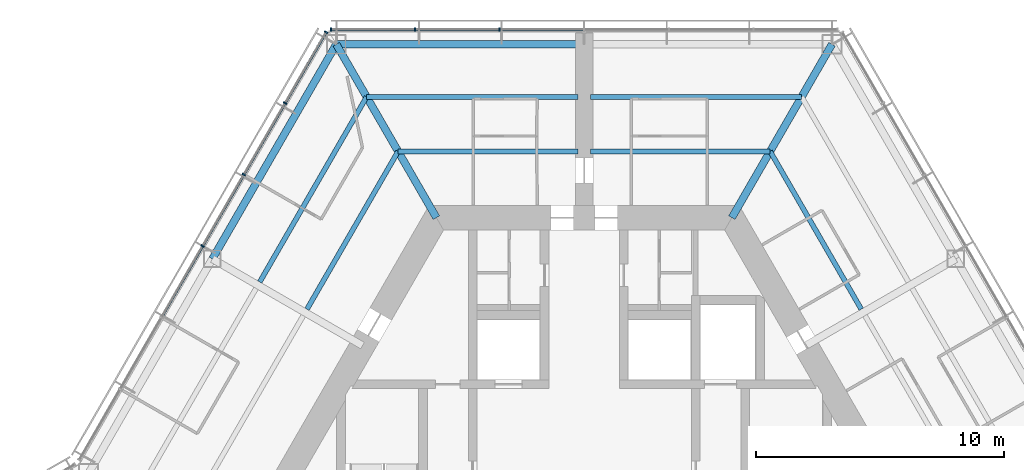
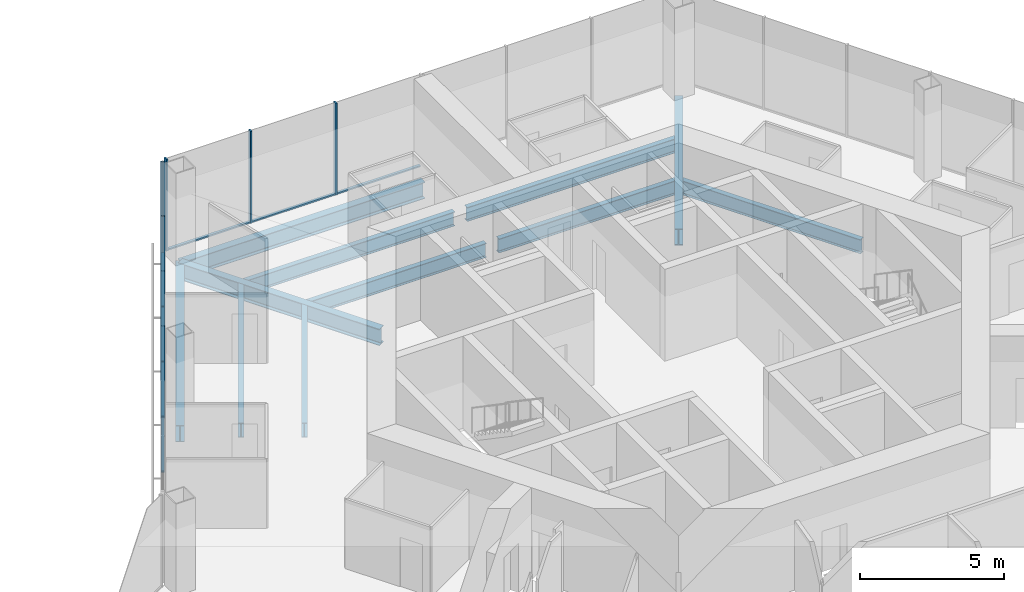
# One storey, part 7 of 18: 14 members, 11 beams, 2 elements without a shape of their own.
"""IFC4 building model written with IfcOpenShell, lengths in metres."""

from ifc_helpers import new_model, si_unit, direction, frame, origin, origin_2d, place, context, subcontext, project, spatial, rectangle, i_section, extrude, material, material_profile, profile_set, type_object, element, aggregate, save


model = new_model("IFC4")

# Units and contexts
model_context = context("Model", 3, precision=1e-05, world=origin(), true_north=direction((0.0, 1.0)))
body_context = subcontext(model_context, "Body", "Model", "MODEL_VIEW")
ifc_project = project(units=[si_unit("LENGTHUNIT", "METRE"), si_unit("AREAUNIT", "SQUARE_METRE"), si_unit("VOLUMEUNIT", "CUBIC_METRE"), si_unit("PLANEANGLEUNIT", "RADIAN"), si_unit("MASSUNIT", "GRAM", prefix="KILO")], contexts=[model_context])

# Site, building, storey
site_placement = place(None, origin())
site = spatial("IfcSite", under=ifc_project, at=site_placement, CompositionType="ELEMENT")
building_placement = place(site_placement, origin())
building = spatial("IfcBuilding", under=site, at=building_placement, Name="Kasaneha Research Tower", CompositionType="ELEMENT")
storey_placement = place(building_placement, frame((0.0, 0.0, 172.10009765625)))
storey = spatial("IfcBuildingStorey", under=building, at=storey_placement, Name="L43", CompositionType="ELEMENT", Elevation=172.10009765625)

# Beams
ifc_material_1 = material(Name="Steel SN490B", Category="steel")
ifc_material_profile_1 = material_profile(ifc_material_1, i_section(OverallWidth=0.199951171875, OverallDepth=0.60009765625, WebThickness=0.010986328125, FlangeThickness=0.01708984375, FilletRadius=0.012939453125, at=origin_2d()), Name="H-600x200x11x17")
ifc_profile_set_1 = profile_set([ifc_material_profile_1], Name="Steel SN490B")
beam_type_1 = type_object("IfcBeamType", Name="B1-3 secondary beam H-600x200x11x17", PredefinedType="JOIST", material=ifc_profile_set_1)
beam_1_placement = place(storey_placement, frame((7.505615234375, 13.0, -0.4501953125), z_axis=(0.499994443168, -0.866028611999, 0.0), x_axis=(0.866028611999, 0.499994443168, 0.0)))
element("IfcBeam", 1, at=beam_1_placement, inside=storey, type_object=beam_type_1, Name="Secondary beam RS030R1 L43", PredefinedType="JOIST", context=body_context, shape_type="SweptSolid", body=[
    extrude(i_section(OverallWidth=0.199951171875, OverallDepth=0.60009765625, WebThickness=0.010986328125, FlangeThickness=0.01708984375, FilletRadius=0.012939453125, at=origin_2d()), origin(), (0.0, 0.0, 1.0), 7.35546875),
])
beam_2_placement = place(storey_placement, frame((7.505615234375, 13.0, -0.4501953125), z_axis=(-1.0, 0.0, 0.0), x_axis=(0.0, -1.0, 0.0)))
element("IfcBeam", 2, at=beam_2_placement, inside=storey, type_object=beam_type_1, Name="Secondary beam RS090L1 L43", PredefinedType="JOIST", context=body_context, shape_type="SweptSolid", body=[
    extrude(i_section(OverallWidth=0.199951171875, OverallDepth=0.60009765625, WebThickness=0.010986328125, FlangeThickness=0.01708984375, FilletRadius=0.012939453125, at=origin_2d()), origin(), (0.0, 0.0, 1.0), 7.255615234375),
])
beam_3_placement = place(storey_placement, frame((8.775634765625, 15.199951171875, -0.4501953125), z_axis=(-1.0, 0.0, 0.0), x_axis=(0.0, -1.0, 0.0)))
element("IfcBeam", 3, at=beam_3_placement, inside=storey, type_object=beam_type_1, Name="Secondary beam RS090L2 L43", PredefinedType="JOIST", context=body_context, shape_type="SweptSolid", body=[
    extrude(i_section(OverallWidth=0.199951171875, OverallDepth=0.60009765625, WebThickness=0.010986328125, FlangeThickness=0.01708984375, FilletRadius=0.012939453125, at=origin_2d()), origin(), (0.0, 0.0, 1.0), 8.525634765625),
])
beam_4_placement = place(storey_placement, frame((-7.505615234375, 13.0, -0.4501953125), z_axis=(1.0, 0.0, 0.0), x_axis=(0.0, 1.0, 0.0)))
element("IfcBeam", 4, at=beam_4_placement, inside=storey, type_object=beam_type_1, Name="Secondary beam RS090R1 L43", PredefinedType="JOIST", context=body_context, shape_type="SweptSolid", body=[
    extrude(i_section(OverallWidth=0.199951171875, OverallDepth=0.60009765625, WebThickness=0.010986328125, FlangeThickness=0.01708984375, FilletRadius=0.012939453125, at=origin_2d()), origin(), (0.0, 0.0, 1.0), 7.255615234375),
])
beam_5_placement = place(storey_placement, frame((-8.775634765625, 15.199951171875, -0.4501953125), z_axis=(1.0, 0.0, 0.0), x_axis=(0.0, 1.0, 0.0)))
element("IfcBeam", 5, at=beam_5_placement, inside=storey, type_object=beam_type_1, Name="Secondary beam RS090R2 L43", PredefinedType="JOIST", context=body_context, shape_type="SweptSolid", body=[
    extrude(i_section(OverallWidth=0.199951171875, OverallDepth=0.60009765625, WebThickness=0.010986328125, FlangeThickness=0.01708984375, FilletRadius=0.012939453125, at=origin_2d()), origin(), (0.0, 0.0, 1.0), 8.525634765625),
])
beam_6_placement = place(storey_placement, frame((-7.505615234375, 13.0, -0.4501953125), z_axis=(-0.499994443168, -0.866028611999, 0.0), x_axis=(0.866028611999, -0.499994443168, 0.0)))
element("IfcBeam", 6, at=beam_6_placement, inside=storey, type_object=beam_type_1, Name="Secondary beam RS150L1 L43", PredefinedType="JOIST", context=body_context, shape_type="SweptSolid", body=[
    extrude(i_section(OverallWidth=0.199951171875, OverallDepth=0.60009765625, WebThickness=0.010986328125, FlangeThickness=0.01708984375, FilletRadius=0.012939453125, at=origin_2d()), origin(), (0.0, 0.0, 1.0), 7.35546875),
])
beam_7_placement = place(storey_placement, frame((-8.775634765625, 15.199951171875, -0.4501953125), z_axis=(-0.500017275495, -0.866015429543, 0.0), x_axis=(0.866015429543, -0.500017275495, 0.0)))
element("IfcBeam", 7, at=beam_7_placement, inside=storey, type_object=beam_type_1, Name="Secondary beam RS150L2 L43", PredefinedType="JOIST", context=body_context, shape_type="SweptSolid", body=[
    extrude(i_section(OverallWidth=0.199951171875, OverallDepth=0.60009765625, WebThickness=0.010986328125, FlangeThickness=0.01708984375, FilletRadius=0.012939453125, at=origin_2d()), origin(), (0.0, 0.0, 1.0), 8.625732421875),
])

# Curtain wall, members
ifc_material_2 = material(Name="Glass and aluminium", Category="aluminium")
curtain_wall_type = type_object("IfcCurtainWallType", Name="Mid-rise office curtain wall", PredefinedType="USERDEFINED", material=ifc_material_2)
curtain_wall_1_placement = place(storey_placement, origin())
curtain_wall_1 = element("IfcCurtainWall", 8, at=curtain_wall_1_placement, inside=storey, type_object=curtain_wall_type, Name="CW-O2 L43 run 07a", ObjectType="UNITISED CURTAIN WALL", PredefinedType="USERDEFINED")
ifc_material_3 = material(Name="Aluminium 6063-T6", Category="aluminium")
ifc_material_profile_2 = material_profile(ifc_material_3, rectangle(XDim=0.06005859375, YDim=0.14990234375, at=origin_2d()), Name="CW-O2 mullion 60x150")
ifc_profile_set_2 = profile_set([ifc_material_profile_2], Name="Aluminium 6063-T6")
member_type_1 = type_object("IfcMemberType", Name="CW-O2 mullion", PredefinedType="MULLION", material=ifc_profile_set_2)
member_1_placement = place(storey_placement, frame((-3.41552734375, 17.92041015625, 0.0), z_axis=(0.0, 0.0, 1.0), x_axis=(-1.0, 0.0, 0.0)))
member_1 = element("IfcMember", 9, at=member_1_placement, type_object=member_type_1, Name="CW-O2 mullion 5", PredefinedType="MULLION", context=body_context, shape_type="SweptSolid", body=[
    extrude(rectangle(XDim=0.06005859375, YDim=0.14990234375, at=origin_2d()), origin(), (0.0, 0.0, 1.0), 3.89990234375),
])
member_2_placement = place(storey_placement, frame((-6.8310546875, 17.92041015625, 0.0), z_axis=(0.0, 0.0, 1.0), x_axis=(-1.0, 0.0, 0.0)))
member_2 = element("IfcMember", 10, at=member_2_placement, type_object=member_type_1, Name="CW-O2 mullion 6", PredefinedType="MULLION", context=body_context, shape_type="SweptSolid", body=[
    extrude(rectangle(XDim=0.06005859375, YDim=0.14990234375, at=origin_2d()), origin(), (0.0, 0.0, 1.0), 3.89990234375),
])
member_3_placement = place(storey_placement, frame((-10.21630859375, 17.92041015625, 0.0), z_axis=(0.0, 0.0, 1.0), x_axis=(-1.0, 0.0, 0.0)))
member_3 = element("IfcMember", 11, at=member_3_placement, type_object=member_type_1, Name="CW-O2 mullion 7", PredefinedType="MULLION", context=body_context, shape_type="SweptSolid", body=[
    extrude(rectangle(XDim=0.06005859375, YDim=0.14990234375, at=origin_2d()), origin(), (0.0, 0.0, 1.0), 3.89990234375),
])

curtain_wall_2_placement = place(storey_placement, origin())
curtain_wall_2 = element("IfcCurtainWall", 12, at=curtain_wall_2_placement, inside=storey, type_object=curtain_wall_type, Name="CW-O2 L43 run 08a", ObjectType="UNITISED CURTAIN WALL", PredefinedType="USERDEFINED")
member_4_placement = place(storey_placement, frame((-10.411376953125, 17.807861328125, 0.0), z_axis=(0.0, 0.0, 1.0), x_axis=(-0.499999979232, -0.866025415775, 0.0)))
member_4 = element("IfcMember", 13, at=member_4_placement, type_object=member_type_1, Name="CW-O2 mullion 1", PredefinedType="MULLION", context=body_context, shape_type="SweptSolid", body=[
    extrude(rectangle(XDim=0.06005859375, YDim=0.14990234375, at=origin_2d()), origin(), (0.0, 0.0, 1.0), 3.89990234375),
])
member_5_placement = place(storey_placement, frame((-12.061767578125, 14.94921875, 0.0), z_axis=(0.0, 0.0, 1.0), x_axis=(-0.499999979232, -0.866025415775, 0.0)))
member_5 = element("IfcMember", 14, at=member_5_placement, type_object=member_type_1, Name="CW-O2 mullion 2", PredefinedType="MULLION", context=body_context, shape_type="SweptSolid", body=[
    extrude(rectangle(XDim=0.06005859375, YDim=0.14990234375, at=origin_2d()), origin(), (0.0, 0.0, 1.0), 3.89990234375),
])
member_6_placement = place(storey_placement, frame((-13.727294921875, 12.064453125, 0.0), z_axis=(0.0, 0.0, 1.0), x_axis=(-0.499999979232, -0.866025415775, 0.0)))
member_6 = element("IfcMember", 15, at=member_6_placement, type_object=member_type_1, Name="CW-O2 mullion 3", PredefinedType="MULLION", context=body_context, shape_type="SweptSolid", body=[
    extrude(rectangle(XDim=0.06005859375, YDim=0.14990234375, at=origin_2d()), origin(), (0.0, 0.0, 1.0), 3.89990234375),
])
member_7_placement = place(storey_placement, frame((-15.392822265625, 9.179931640625, 0.0), z_axis=(0.0, 0.0, 1.0), x_axis=(-0.499999979232, -0.866025415775, 0.0)))
member_7 = element("IfcMember", 16, at=member_7_placement, type_object=member_type_1, Name="CW-O2 mullion 4", PredefinedType="MULLION", context=body_context, shape_type="SweptSolid", body=[
    extrude(rectangle(XDim=0.06005859375, YDim=0.14990234375, at=origin_2d()), origin(), (0.0, 0.0, 1.0), 3.89990234375),
])

# Member
ifc_material_4 = material(Name="Aluminium 6063-T6", Category="aluminium")
ifc_material_profile_3 = material_profile(ifc_material_4, rectangle(XDim=0.110107421875, YDim=0.06005859375, at=origin_2d()), Name="CW-O2 transom 110x60")
ifc_profile_set_3 = profile_set([ifc_material_profile_3], Name="Aluminium 6063-T6")
member_type_2 = type_object("IfcMemberType", Name="CW-O2 transom", PredefinedType="USERDEFINED", material=ifc_profile_set_3)
member_8_placement = place(storey_placement, frame((-0.030029296875, 17.92041015625, 0.02978515625), z_axis=(-1.0, 0.0, 0.0), x_axis=(0.0, -1.0, 0.0)))
member_8 = element("IfcMember", 17, at=member_8_placement, type_object=member_type_2, Name="CW-O2 transom 4", ObjectType="TRANSOM", PredefinedType="USERDEFINED", context=body_context, shape_type="SweptSolid", body=[
    extrude(rectangle(XDim=0.110107421875, YDim=0.06005859375, at=origin_2d()), origin(), (0.0, 0.0, 1.0), 3.35546875),
])

member_9_placement = place(storey_placement, frame((-3.445556640625, 17.92041015625, 0.02978515625), z_axis=(-1.0, 0.0, 0.0), x_axis=(0.0, -1.0, 0.0)))
member_9 = element("IfcMember", 18, at=member_9_placement, type_object=member_type_2, Name="CW-O2 transom 5", ObjectType="TRANSOM", PredefinedType="USERDEFINED", context=body_context, shape_type="SweptSolid", body=[
    extrude(rectangle(XDim=0.110107421875, YDim=0.06005859375, at=origin_2d()), origin(), (0.0, 0.0, 1.0), 3.35546875),
])

member_10_placement = place(storey_placement, frame((-6.86083984375, 17.92041015625, 0.02978515625), z_axis=(-1.0, 0.0, 0.0), x_axis=(0.0, -1.0, 0.0)))
member_10 = element("IfcMember", 19, at=member_10_placement, type_object=member_type_2, Name="CW-O2 transom 6", ObjectType="TRANSOM", PredefinedType="USERDEFINED", context=body_context, shape_type="SweptSolid", body=[
    extrude(rectangle(XDim=0.110107421875, YDim=0.06005859375, at=origin_2d()), origin(), (0.0, 0.0, 1.0), 3.32568359375),
])

aggregate(curtain_wall_1, [member_1, member_2, member_3, member_8, member_9, member_10])

member_11_placement = place(storey_placement, frame((-10.426513671875, 17.781982421875, 0.02978515625), z_axis=(-0.499955025697, -0.866051368154, 0.0), x_axis=(0.866051368154, -0.499955025697, 0.0)))
member_11 = element("IfcMember", 20, at=member_11_placement, type_object=member_type_2, Name="CW-O2 transom 1", ObjectType="TRANSOM", PredefinedType="USERDEFINED", context=body_context, shape_type="SweptSolid", body=[
    extrude(rectangle(XDim=0.110107421875, YDim=0.06005859375, at=origin_2d()), origin(), (0.0, 0.0, 1.0), 3.240966796875),
])

member_12_placement = place(storey_placement, frame((-12.076904296875, 14.92333984375, 0.02978515625), z_axis=(-0.500000270186, -0.866025247793, 0.0), x_axis=(0.866025247793, -0.500000270186, 0.0)))
member_12 = element("IfcMember", 21, at=member_12_placement, type_object=member_type_2, Name="CW-O2 transom 2", ObjectType="TRANSOM", PredefinedType="USERDEFINED", context=body_context, shape_type="SweptSolid", body=[
    extrude(rectangle(XDim=0.110107421875, YDim=0.06005859375, at=origin_2d()), origin(), (0.0, 0.0, 1.0), 3.27099609375),
])

member_13_placement = place(storey_placement, frame((-13.742431640625, 12.03857421875, 0.02978515625), z_axis=(-0.500000270186, -0.866025247793, 0.0), x_axis=(0.866025247793, -0.500000270186, 0.0)))
member_13 = element("IfcMember", 22, at=member_13_placement, type_object=member_type_2, Name="CW-O2 transom 3", ObjectType="TRANSOM", PredefinedType="USERDEFINED", context=body_context, shape_type="SweptSolid", body=[
    extrude(rectangle(XDim=0.110107421875, YDim=0.06005859375, at=origin_2d()), origin(), (0.0, 0.0, 1.0), 3.27099609375),
])

member_14_placement = place(storey_placement, frame((-15.40771484375, 9.15380859375, 0.02978515625), z_axis=(-0.50003259116, -0.866006586452, 0.0), x_axis=(0.866006586452, -0.50003259116, 0.0)))
member_14 = element("IfcMember", 23, at=member_14_placement, type_object=member_type_2, Name="CW-O2 transom 4", ObjectType="TRANSOM", PredefinedType="USERDEFINED", context=body_context, shape_type="SweptSolid", body=[
    extrude(rectangle(XDim=0.110107421875, YDim=0.06005859375, at=origin_2d()), origin(), (0.0, 0.0, 1.0), 3.270751953125),
])

aggregate(curtain_wall_2, [member_4, member_5, member_6, member_7, member_11, member_12, member_13, member_14])

# Beams
ifc_material_5 = material(Name="Steel SN490B", Category="steel")
ifc_material_profile_4 = material_profile(ifc_material_5, i_section(OverallWidth=0.300048828125, OverallDepth=0.699951171875, WebThickness=0.012939453125, FlangeThickness=0.02392578125, FilletRadius=0.01806640625, at=origin_2d()), Name="H-700x300x13x24")
ifc_profile_set_4 = profile_set([ifc_material_profile_4], Name="Steel SN490B")
beam_type_2 = type_object("IfcBeamType", Name="G1-3 radial girder H-700x300x13x24", PredefinedType="BEAM", material=ifc_profile_set_4)
for number, where, z_axis, x_axis, name in (
    (24, (5.961181640625, 10.324951171875, -0.5), (0.49999105496, 0.866030568144, 0.0), (-0.866030568144, 0.49999105496, 0.0), "Radial girder RV060 L43"),
    (25, (-5.961181640625, 10.324951171875, -0.5), (-0.49999105496, 0.866030568144, 0.0), (-0.866030568144, -0.49999105496, 0.0), "Radial girder RV120 L43"),
):
    element("IfcBeam", number, at=place(storey_placement, frame(where, z_axis=z_axis, x_axis=x_axis)), inside=storey, type_object=beam_type_2, Name=name, PredefinedType="BEAM", context=body_context, shape_type="SweptSolid", body=[
        extrude(i_section(OverallWidth=0.300048828125, OverallDepth=0.699951171875, WebThickness=0.012939453125, FlangeThickness=0.02392578125, FilletRadius=0.01806640625, at=origin_2d()), origin(), (0.0, 0.0, 1.0), 8.077880859375),
    ])
ifc_material_6 = material(Name="Steel SN490B", Category="steel")
ifc_material_profile_5 = material_profile(ifc_material_6, i_section(OverallWidth=0.300048828125, OverallDepth=0.69189453125, WebThickness=0.012939453125, FlangeThickness=0.02001953125, FilletRadius=0.01806640625, at=origin_2d()), Name="H-692x300x13x20")
ifc_profile_set_5 = profile_set([ifc_material_profile_5], Name="Steel SN490B")
beam_type_3 = type_object("IfcBeamType", Name="G3-3 plate edge girder H-692x300x13x20", PredefinedType="BEAM", material=ifc_profile_set_5)
beam_8_placement = place(storey_placement, frame((-10.0, 17.320556640625, -0.49609375), z_axis=(1.0, 0.0, 0.0), x_axis=(0.0, 1.0, 0.0)))
element("IfcBeam", 26, at=beam_8_placement, inside=storey, type_object=beam_type_3, Name="Plate edge girder PEAN L43", PredefinedType="BEAM", context=body_context, shape_type="SweptSolid", body=[
    extrude(i_section(OverallWidth=0.300048828125, OverallDepth=0.69189453125, WebThickness=0.012939453125, FlangeThickness=0.02001953125, FilletRadius=0.01806640625, at=origin_2d()), origin(), (0.0, 0.0, 1.0), 9.75),
])
ifc_material_7 = material(Name="Steel SN490B", Category="steel")
ifc_material_profile_6 = material_profile(ifc_material_7, i_section(OverallWidth=0.300048828125, OverallDepth=0.69189453125, WebThickness=0.012939453125, FlangeThickness=0.02001953125, FilletRadius=0.01806640625, at=origin_2d()), Name="H-692x300x13x20")
ifc_profile_set_6 = profile_set([ifc_material_profile_6], Name="Steel SN490B")
beam_type_4 = type_object("IfcBeamType", Name="SB1-3 spandrel beam H-692x300x13x20", PredefinedType="SPANDREL", material=ifc_profile_set_6)
beam_9_placement = place(storey_placement, frame((-10.0, 17.320556640625, -0.49609375), z_axis=(-0.499993662806, -0.866029062534, 0.0), x_axis=(0.866029062534, -0.499993662806, 0.0)))
element("IfcBeam", 27, at=beam_9_placement, inside=storey, type_object=beam_type_4, Name="Spandrel beam SR150L L43", PredefinedType="SPANDREL", context=body_context, shape_type="SweptSolid", body=[
    extrude(i_section(OverallWidth=0.300048828125, OverallDepth=0.69189453125, WebThickness=0.012939453125, FlangeThickness=0.02001953125, FilletRadius=0.01806640625, at=origin_2d()), origin(), (0.0, 0.0, 1.0), 10.000244140625),
])

save(model, "model.ifc")
